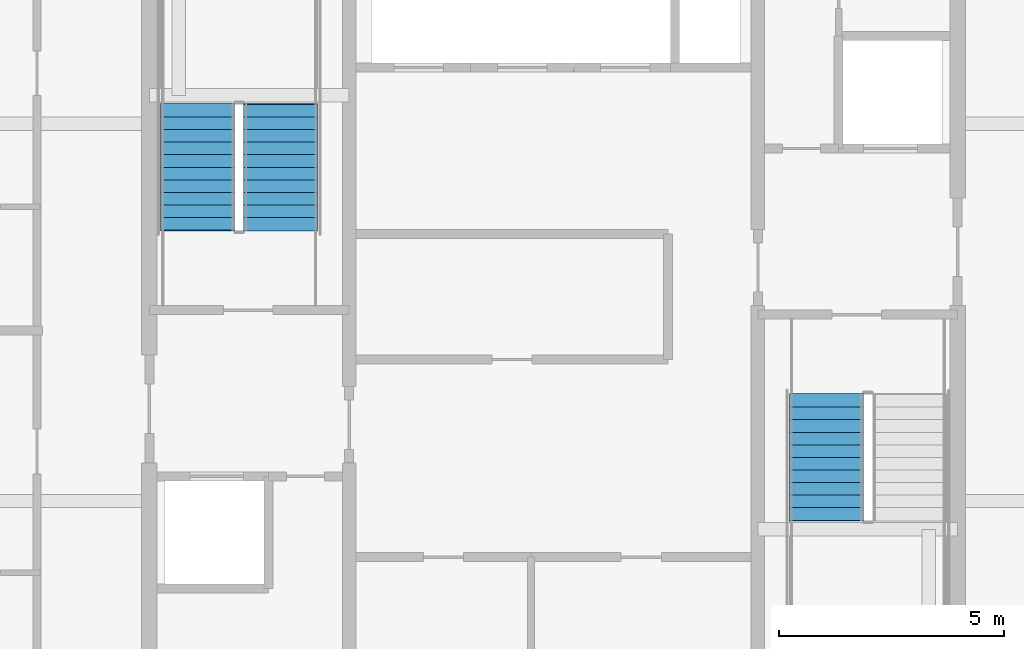
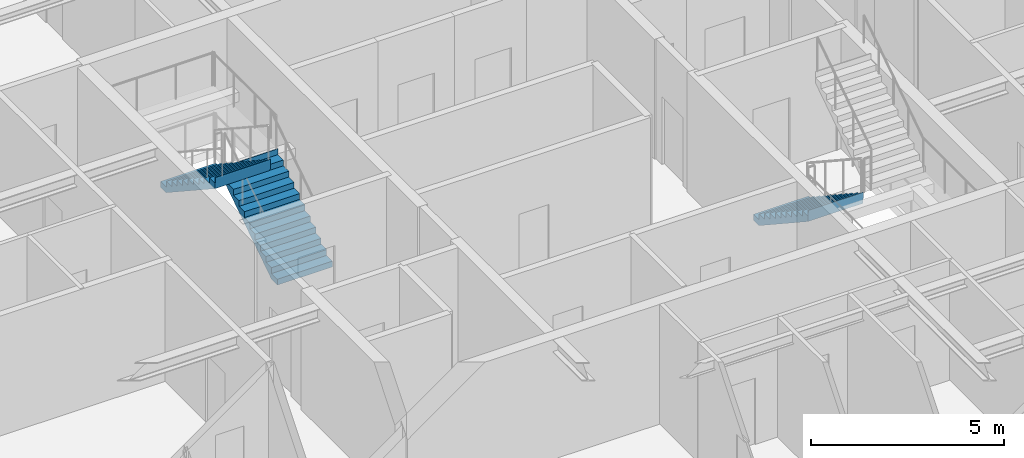
# One storey, part 33 of 39: 3 stair flights, 2 elements without a shape of their own.
"""IFC4 building model written with IfcOpenShell, lengths in metres."""

import ifcopenshell
import ifcopenshell.guid

model = None  # the IFC model being written
_history = None  # IfcOwnerHistory: only IFC2X3 demands one
_inside = {}  # id of a spatial element -> (the spatial element, [elements in it])
_under = {}  # id of a project, library or spatial element -> (it, [spatial elements below it])
_declared = {}  # id of a project -> (the project, [libraries it declares])
_typed = {}  # id of a type object -> (the type object, [elements of that type])
_made_of = {}  # id of a material, layer set ... -> (it, [elements and type objects made of it])


def new_model(schema):
    """Start an empty IFC model of exactly this schema.

    Asked for "IFC4X3", IfcOpenShell would pick the latest addendum, in which some entities
    have other attributes; the version numbers below select the first issue.
    IFC2X3 requires an IfcOwnerHistory on every rooted entity: one is made here for all.
    """
    global model, _history
    if schema == "IFC4X3":
        model = ifcopenshell.file(schema_version=(4, 3, 0, 0))
    else:
        model = ifcopenshell.file(schema=schema)
    _inside.clear()
    _under.clear()
    _declared.clear()
    _typed.clear()
    _made_of.clear()
    _history = None
    if model.schema == "IFC2X3":
        org = make("IfcOrganization", Name="unknown")
        user = make(
            "IfcPersonAndOrganization",
            ThePerson=make("IfcPerson", FamilyName="unknown"),
            TheOrganization=org,
        )
        app = make(
            "IfcApplication",
            ApplicationDeveloper=org,
            Version="unknown",
            ApplicationFullName="unknown",
            ApplicationIdentifier="unknown",
        )
        _history = make(
            "IfcOwnerHistory",
            OwningUser=user,
            OwningApplication=app,
            ChangeAction="ADDED",
            CreationDate=0,
        )
    return model


def make(cls, **values):
    """One entity of the class cls with the attributes given. An attribute that is None is left unset."""
    return model.create_entity(
        cls, **{name: value for name, value in values.items() if value is not None}
    )


def rooted(cls, **values):
    """An entity with a GlobalId (a new one), such as an element, a storey or a relation."""
    return make(cls, GlobalId=ifcopenshell.guid.new(), OwnerHistory=_history, **values)


def si_unit(unit_type, name, prefix=None):
    """IfcSIUnit, for example si_unit("LENGTHUNIT", "METRE", prefix="MILLI")."""
    return make("IfcSIUnit", UnitType=unit_type, Prefix=prefix, Name=name)


def assignment(units):
    """IfcUnitAssignment: the units of a project."""
    return None if units is None else make("IfcUnitAssignment", Units=units)


def point(xyz):
    """IfcCartesianPoint."""
    return None if xyz is None else make("IfcCartesianPoint", Coordinates=xyz)


def direction(xyz):
    """IfcDirection."""
    return None if xyz is None else make("IfcDirection", DirectionRatios=xyz)


def frame(location, z_axis=None, x_axis=None):
    """IfcAxis2Placement3D, a coordinate frame: its origin and axes. An axis left out is left unset."""
    return make(
        "IfcAxis2Placement3D",
        Location=point(location),
        Axis=direction(z_axis),
        RefDirection=direction(x_axis),
    )


def origin():
    """The frame at (0, 0, 0) with its axes left unset."""
    return frame((0.0, 0.0, 0.0))


def place(relative_to, where):
    """IfcLocalPlacement: puts the frame where relative to a parent placement (None: the world)."""
    return make(
        "IfcLocalPlacement", PlacementRelTo=relative_to, RelativePlacement=where
    )


def context(
    kind, dimensions, precision=None, world=None, true_north=None, identifier=None
):
    """IfcGeometricRepresentationContext, for example the 3D "Model" context."""
    return make(
        "IfcGeometricRepresentationContext",
        ContextIdentifier=identifier,
        ContextType=kind,
        CoordinateSpaceDimension=dimensions,
        Precision=precision,
        WorldCoordinateSystem=world,
        TrueNorth=true_north,
    )


def subcontext(parent, identifier, kind, view, scale=None):
    """IfcGeometricRepresentationSubContext, for example "Body" below "Model"."""
    return make(
        "IfcGeometricRepresentationSubContext",
        ContextIdentifier=identifier,
        ContextType=kind,
        ParentContext=parent,
        TargetScale=scale,
        TargetView=view,
    )


def project(units=None, contexts=None):
    """IfcProject with its units and contexts."""
    return rooted(
        "IfcProject",
        Name="project",
        RepresentationContexts=contexts,
        UnitsInContext=assignment(units),
    )


def spatial(cls, under=None, at=None, **own):
    """A site, building, storey or space (cls), placed at a placement, below another one or the project."""
    s = rooted(cls, ObjectPlacement=at, **own)
    if under is not None:
        _under.setdefault(under.id(), (under, []))[1].append(s)
    return s


def point_list(points):
    """IfcCartesianPointList2D or 3D."""
    cls = (
        "IfcCartesianPointList2D" if len(points[0]) == 2 else "IfcCartesianPointList3D"
    )
    return make(cls, CoordList=points)


def polygons(points, faces, closed=None, point_numbers=None):
    """IfcPolygonalFaceSet: a face is its outer loop, then its inner loops; points numbered from 1."""
    made = []
    for loops in faces:
        if len(loops) == 1:
            made.append(make("IfcIndexedPolygonalFace", CoordIndex=loops[0]))
        else:
            made.append(
                make(
                    "IfcIndexedPolygonalFaceWithVoids",
                    CoordIndex=loops[0],
                    InnerCoordIndices=loops[1:],
                )
            )
    return make(
        "IfcPolygonalFaceSet",
        Coordinates=point_list(points),
        Closed=closed,
        Faces=made,
        PnIndex=point_numbers,
    )


def shape(context_of_items, identifier, shape_type, items):
    """IfcShapeRepresentation: the items that make up one representation, for example the "Body"."""
    return make(
        "IfcShapeRepresentation",
        ContextOfItems=context_of_items,
        RepresentationIdentifier=identifier,
        RepresentationType=shape_type,
        Items=items,
    )


def material(Name=None, Category=None):
    """IfcMaterial."""
    return make("IfcMaterial", Name=Name, Category=Category)


def made_of(thing, what):
    """Note that an element or type object is made of a material, layer set ...; save() writes the relation."""
    if what is not None:
        _made_of.setdefault(what.id(), (what, []))[1].append(thing)
    return thing


def type_object(cls, material=None, **own):
    """A type object (cls), such as IfcWallType, which elements share."""
    return made_of(rooted(cls, **own), material)


def element(
    cls,
    number,
    at=None,
    inside=None,
    cuts=None,
    type_object=None,
    material=None,
    context=None,
    identifier="Body",
    shape_type=None,
    held_by="IfcProductDefinitionShape",
    body=None,
    shapes=None,
    **own,
):
    """One element of the class cls, such as IfcWall. Its Tag is "e" and its number.

    at: its placement. inside: the storey or other place that contains it. cuts: it is an
    opening in that element (IfcRelVoidsElement). A single representation is given by context,
    identifier, shape_type and body (its items); several are given by shapes. held_by: the class
    of the entity that holds the representations. save() writes the other relations.
    """
    e = rooted(cls, Tag="e%d" % number, ObjectPlacement=at, **own)
    if body is not None:
        shapes = [shape(context, identifier, shape_type, body)]
    if shapes is not None:
        e.Representation = make(held_by, Representations=shapes)
    if inside is not None:
        _inside.setdefault(inside.id(), (inside, []))[1].append(e)
    if cuts is not None:
        rooted(
            "IfcRelVoidsElement", RelatingBuildingElement=cuts, RelatedOpeningElement=e
        )
    if type_object is not None:
        _typed.setdefault(type_object.id(), (type_object, []))[1].append(e)
    return made_of(e, material)


def aggregate(whole, parts):
    """IfcRelAggregates: a whole, such as a stair, and the parts it consists of."""
    return rooted("IfcRelAggregates", RelatingObject=whole, RelatedObjects=parts)


def save(model, path):
    """Write the relations noted so far, then the file.

    IfcRelAggregates (storeys below a building ...), IfcRelContainedInSpatialStructure (elements
    in a storey), IfcRelDefinesByType, IfcRelAssociatesMaterial and IfcRelDeclares: one each for
    every whole, place, type object, material and project.
    """
    for whole, parts in _under.values():
        aggregate(whole, parts)
    for where, things in _inside.values():
        rooted(
            "IfcRelContainedInSpatialStructure",
            RelatedElements=things,
            RelatingStructure=where,
        )
    for kind, things in _typed.values():
        rooted("IfcRelDefinesByType", RelatedObjects=things, RelatingType=kind)
    for what, things in _made_of.values():
        rooted("IfcRelAssociatesMaterial", RelatedObjects=things, RelatingMaterial=what)
    for by, libraries in _declared.values():
        rooted("IfcRelDeclares", RelatingContext=by, RelatedDefinitions=libraries)
    model.write(path)


model = new_model("IFC4")

# Units and contexts
model_context = context("Model", 3, precision=1e-05, world=origin(), true_north=direction((0.0, 1.0)))
body_context = subcontext(model_context, "Body", "Model", "MODEL_VIEW")
ifc_project = project(units=[si_unit("LENGTHUNIT", "METRE"), si_unit("AREAUNIT", "SQUARE_METRE"), si_unit("VOLUMEUNIT", "CUBIC_METRE"), si_unit("PLANEANGLEUNIT", "RADIAN"), si_unit("MASSUNIT", "GRAM", prefix="KILO")], contexts=[model_context])

# Site, building, storey
site_placement = place(None, origin())
site = spatial("IfcSite", under=ifc_project, at=site_placement, CompositionType="ELEMENT")
building_placement = place(site_placement, origin())
building = spatial("IfcBuilding", under=site, at=building_placement, Name="Serunith Strait Residences", CompositionType="ELEMENT")
storey_placement = place(building_placement, frame((0.0, 0.0, 329.89990234375)))
storey = spatial("IfcBuildingStorey", under=building, at=storey_placement, Name="L82", CompositionType="ELEMENT", Elevation=329.89990234375)

# Stair, stair flights
ifc_material = material(Name="Concrete C50/60", Category="concrete")
stair_type_1 = type_object("IfcStairType", Name="STR-CORE-1", PredefinedType="HALF_TURN_STAIR", material=ifc_material)
stair_1_placement = place(storey_placement, origin())
stair_1 = element("IfcStair", 1, at=stair_1_placement, inside=storey, type_object=stair_type_1, Name="L82 Protected Escape Stair ST-1", PredefinedType="HALF_TURN_STAIR")
stair_flight_type_1 = type_object("IfcStairFlightType", Name="FLT-CORE-1", PredefinedType="STRAIGHT", material=ifc_material)
stair_flight_1_placement = place(storey_placement, frame((26.324951171875, 27.030029296875, 0.0), z_axis=(0.0, 0.0, 1.0), x_axis=(0.0, 1.0, 0.0)))
stair_flight_1 = element("IfcStairFlight", 2, at=stair_flight_1_placement, type_object=stair_flight_type_1, Name="ST-1 flight 1", NumberOfRisers=11, NumberOfTreads=10, PredefinedType="STRAIGHT", RiserHeight=0.184090909, TreadLength=0.28, context=body_context, shape_type="Tessellation", body=[
    polygons([(-0.02001953125, -0.824951171875, 0.0), (-0.02001953125, -0.824951171875, 0.18408203125), (0.280029296875, -0.824951171875, 0.18408203125), (0.280029296875, -0.824951171875, 0.3681640625), (0.56005859375, -0.824951171875, 0.3681640625), (0.56005859375, -0.824951171875, 0.55224609375), (0.840087890625, -0.824951171875, 0.55224609375), (0.840087890625, -0.824951171875, 0.736328125), (1.1201171875, -0.824951171875, 0.736328125), (1.1201171875, -0.824951171875, 0.92041015625), (1.39990234375, -0.824951171875, 0.92041015625), (1.39990234375, -0.824951171875, 1.1044921875), (1.679931640625, -0.824951171875, 1.1044921875), (1.679931640625, -0.824951171875, 1.28857421875), (1.9599609375, -0.824951171875, 1.28857421875), (1.9599609375, -0.824951171875, 1.47265625), (2.239990234375, -0.824951171875, 1.47265625), (2.239990234375, -0.824951171875, 1.65673828125), (2.52001953125, -0.824951171875, 1.65673828125), (2.52001953125, -0.824951171875, 1.8408203125), (2.800048828125, -0.824951171875, 1.8408203125), (2.800048828125, -0.824951171875, 2.02490234375), (2.820068359375, -0.824951171875, 2.02490234375), (2.820068359375, -0.824951171875, 1.965087890625), (2.800048828125, -0.824951171875, 1.66162109375), (0.27294921875, -0.824951171875, 0.0), (-0.02001953125, -0.41259765625, 0.0), (-0.02001953125, -0.41259765625, 0.18408203125), (0.280029296875, -0.41259765625, 0.18408203125), (0.280029296875, -0.41259765625, 0.3681640625), (0.56005859375, -0.41259765625, 0.3681640625), (0.56005859375, -0.41259765625, 0.55224609375), (0.840087890625, -0.41259765625, 0.55224609375), (0.840087890625, -0.41259765625, 0.736328125), (1.1201171875, -0.41259765625, 0.736328125), (1.1201171875, -0.41259765625, 0.92041015625), (1.39990234375, -0.41259765625, 0.92041015625), (1.39990234375, -0.41259765625, 1.1044921875), (1.679931640625, -0.41259765625, 1.1044921875), (1.679931640625, -0.41259765625, 1.28857421875), (1.9599609375, -0.41259765625, 1.28857421875), (1.9599609375, -0.41259765625, 1.47265625), (2.239990234375, -0.41259765625, 1.47265625), (2.239990234375, -0.41259765625, 1.65673828125), (2.52001953125, -0.41259765625, 1.65673828125), (2.52001953125, -0.41259765625, 1.8408203125), (2.800048828125, -0.41259765625, 1.8408203125), (2.800048828125, -0.41259765625, 2.02490234375), (2.820068359375, -0.41259765625, 2.02490234375), (2.820068359375, -0.41259765625, 1.965087890625), (2.800048828125, -0.41259765625, 1.66162109375), (0.27294921875, -0.41259765625, 0.0), (-0.02001953125, 0.0, 0.0), (-0.02001953125, 0.0, 0.18408203125), (0.280029296875, 0.0, 0.18408203125), (0.280029296875, 0.0, 0.3681640625), (0.56005859375, 0.0, 0.3681640625), (0.56005859375, 0.0, 0.55224609375), (0.840087890625, 0.0, 0.55224609375), (0.840087890625, 0.0, 0.736328125), (1.1201171875, 0.0, 0.736328125), (1.1201171875, 0.0, 0.92041015625), (1.39990234375, 0.0, 0.92041015625), (1.39990234375, 0.0, 1.1044921875), (1.679931640625, 0.0, 1.1044921875), (1.679931640625, 0.0, 1.28857421875), (1.9599609375, 0.0, 1.28857421875), (1.9599609375, 0.0, 1.47265625), (2.239990234375, 0.0, 1.47265625), (2.239990234375, 0.0, 1.65673828125), (2.52001953125, 0.0, 1.65673828125), (2.52001953125, 0.0, 1.8408203125), (2.800048828125, 0.0, 1.8408203125), (2.800048828125, 0.0, 2.02490234375), (2.820068359375, 0.0, 2.02490234375), (2.820068359375, 0.0, 1.965087890625), (2.800048828125, 0.0, 1.66162109375), (0.27294921875, 0.0, 0.0), (-0.02001953125, 0.41259765625, 0.0), (-0.02001953125, 0.41259765625, 0.18408203125), (0.280029296875, 0.41259765625, 0.18408203125), (0.280029296875, 0.41259765625, 0.3681640625), (0.56005859375, 0.41259765625, 0.3681640625), (0.56005859375, 0.41259765625, 0.55224609375), (0.840087890625, 0.41259765625, 0.55224609375), (0.840087890625, 0.41259765625, 0.736328125), (1.1201171875, 0.41259765625, 0.736328125), (1.1201171875, 0.41259765625, 0.92041015625), (1.39990234375, 0.41259765625, 0.92041015625), (1.39990234375, 0.41259765625, 1.1044921875), (1.679931640625, 0.41259765625, 1.1044921875), (1.679931640625, 0.41259765625, 1.28857421875), (1.9599609375, 0.41259765625, 1.28857421875), (1.9599609375, 0.41259765625, 1.47265625), (2.239990234375, 0.41259765625, 1.47265625), (2.239990234375, 0.41259765625, 1.65673828125), (2.52001953125, 0.41259765625, 1.65673828125), (2.52001953125, 0.41259765625, 1.8408203125), (2.800048828125, 0.41259765625, 1.8408203125), (2.800048828125, 0.41259765625, 2.02490234375), (2.820068359375, 0.41259765625, 2.02490234375), (2.820068359375, 0.41259765625, 1.965087890625), (2.800048828125, 0.41259765625, 1.66162109375), (0.27294921875, 0.41259765625, 0.0), (-0.02001953125, 0.824951171875, 0.0), (-0.02001953125, 0.824951171875, 0.18408203125), (0.280029296875, 0.824951171875, 0.18408203125), (0.280029296875, 0.824951171875, 0.3681640625), (0.56005859375, 0.824951171875, 0.3681640625), (0.56005859375, 0.824951171875, 0.55224609375), (0.840087890625, 0.824951171875, 0.55224609375), (0.840087890625, 0.824951171875, 0.736328125), (1.1201171875, 0.824951171875, 0.736328125), (1.1201171875, 0.824951171875, 0.92041015625), (1.39990234375, 0.824951171875, 0.92041015625), (1.39990234375, 0.824951171875, 1.1044921875), (1.679931640625, 0.824951171875, 1.1044921875), (1.679931640625, 0.824951171875, 1.28857421875), (1.9599609375, 0.824951171875, 1.28857421875), (1.9599609375, 0.824951171875, 1.47265625), (2.239990234375, 0.824951171875, 1.47265625), (2.239990234375, 0.824951171875, 1.65673828125), (2.52001953125, 0.824951171875, 1.65673828125), (2.52001953125, 0.824951171875, 1.8408203125), (2.800048828125, 0.824951171875, 1.8408203125), (2.800048828125, 0.824951171875, 2.02490234375), (2.820068359375, 0.824951171875, 2.02490234375), (2.820068359375, 0.824951171875, 1.965087890625), (2.800048828125, 0.824951171875, 1.66162109375), (0.27294921875, 0.824951171875, 0.0)], [[[1, 2, 28, 27]], [[2, 3, 29, 28]], [[3, 4, 30, 29]], [[4, 5, 31, 30]], [[5, 6, 32, 31]], [[6, 7, 33, 32]], [[7, 8, 34, 33]], [[8, 9, 35, 34]], [[9, 10, 36, 35]], [[10, 11, 37, 36]], [[11, 12, 38, 37]], [[12, 13, 39, 38]], [[13, 14, 40, 39]], [[14, 15, 41, 40]], [[15, 16, 42, 41]], [[16, 17, 43, 42]], [[17, 18, 44, 43]], [[18, 19, 45, 44]], [[19, 20, 46, 45]], [[20, 21, 47, 46]], [[21, 22, 48, 47]], [[22, 23, 49, 48]], [[23, 24, 50, 49]], [[24, 25, 51, 50]], [[25, 26, 52, 51]], [[26, 1, 27, 52]], [[27, 28, 54, 53]], [[28, 29, 55, 54]], [[29, 30, 56, 55]], [[30, 31, 57, 56]], [[31, 32, 58, 57]], [[32, 33, 59, 58]], [[33, 34, 60, 59]], [[34, 35, 61, 60]], [[35, 36, 62, 61]], [[36, 37, 63, 62]], [[37, 38, 64, 63]], [[38, 39, 65, 64]], [[39, 40, 66, 65]], [[40, 41, 67, 66]], [[41, 42, 68, 67]], [[42, 43, 69, 68]], [[43, 44, 70, 69]], [[44, 45, 71, 70]], [[45, 46, 72, 71]], [[46, 47, 73, 72]], [[47, 48, 74, 73]], [[48, 49, 75, 74]], [[49, 50, 76, 75]], [[50, 51, 77, 76]], [[51, 52, 78, 77]], [[52, 27, 53, 78]], [[53, 54, 80, 79]], [[54, 55, 81, 80]], [[55, 56, 82, 81]], [[56, 57, 83, 82]], [[57, 58, 84, 83]], [[58, 59, 85, 84]], [[59, 60, 86, 85]], [[60, 61, 87, 86]], [[61, 62, 88, 87]], [[62, 63, 89, 88]], [[63, 64, 90, 89]], [[64, 65, 91, 90]], [[65, 66, 92, 91]], [[66, 67, 93, 92]], [[67, 68, 94, 93]], [[68, 69, 95, 94]], [[69, 70, 96, 95]], [[70, 71, 97, 96]], [[71, 72, 98, 97]], [[72, 73, 99, 98]], [[73, 74, 100, 99]], [[74, 75, 101, 100]], [[75, 76, 102, 101]], [[76, 77, 103, 102]], [[77, 78, 104, 103]], [[78, 53, 79, 104]], [[79, 80, 106, 105]], [[80, 81, 107, 106]], [[81, 82, 108, 107]], [[82, 83, 109, 108]], [[83, 84, 110, 109]], [[84, 85, 111, 110]], [[85, 86, 112, 111]], [[86, 87, 113, 112]], [[87, 88, 114, 113]], [[88, 89, 115, 114]], [[89, 90, 116, 115]], [[90, 91, 117, 116]], [[91, 92, 118, 117]], [[92, 93, 119, 118]], [[93, 94, 120, 119]], [[94, 95, 121, 120]], [[95, 96, 122, 121]], [[96, 97, 123, 122]], [[97, 98, 124, 123]], [[98, 99, 125, 124]], [[99, 100, 126, 125]], [[100, 101, 127, 126]], [[101, 102, 128, 127]], [[102, 103, 129, 128]], [[103, 104, 130, 129]], [[104, 79, 105, 130]], [[26, 25, 24, 23, 22, 21, 20, 19, 18, 17, 16, 15, 14, 13, 12, 11, 10, 9, 8, 7, 6, 5, 4, 3, 2, 1]], [[105, 106, 107, 108, 109, 110, 111, 112, 113, 114, 115, 116, 117, 118, 119, 120, 121, 122, 123, 124, 125, 126, 127, 128, 129, 130]]], closed=True),
])
stair_flight_2_placement = place(storey_placement, frame((24.47509765625, 29.830078125, 2.025146484375), z_axis=(0.0, 0.0, 1.0), x_axis=(0.0, -1.0, 0.0)))
stair_flight_2 = element("IfcStairFlight", 3, at=stair_flight_2_placement, type_object=stair_flight_type_1, Name="ST-1 flight 2", NumberOfRisers=11, NumberOfTreads=10, PredefinedType="STRAIGHT", RiserHeight=0.184090909, TreadLength=0.28, context=body_context, shape_type="Tessellation", body=[
    polygons([(-0.02001953125, -0.824951171875, 0.0), (-0.02001953125, -0.824951171875, 0.18408203125), (0.280029296875, -0.824951171875, 0.18408203125), (0.280029296875, -0.824951171875, 0.3681640625), (0.56005859375, -0.824951171875, 0.3681640625), (0.56005859375, -0.824951171875, 0.55224609375), (0.840087890625, -0.824951171875, 0.55224609375), (0.840087890625, -0.824951171875, 0.736328125), (1.1201171875, -0.824951171875, 0.736328125), (1.1201171875, -0.824951171875, 0.92041015625), (1.39990234375, -0.824951171875, 0.92041015625), (1.39990234375, -0.824951171875, 1.1044921875), (1.679931640625, -0.824951171875, 1.1044921875), (1.679931640625, -0.824951171875, 1.28857421875), (1.9599609375, -0.824951171875, 1.28857421875), (1.9599609375, -0.824951171875, 1.47265625), (2.239990234375, -0.824951171875, 1.47265625), (2.239990234375, -0.824951171875, 1.65673828125), (2.52001953125, -0.824951171875, 1.65673828125), (2.52001953125, -0.824951171875, 1.8408203125), (2.800048828125, -0.824951171875, 1.8408203125), (2.800048828125, -0.824951171875, 2.02490234375), (2.820068359375, -0.824951171875, 2.02490234375), (2.820068359375, -0.824951171875, 1.965087890625), (2.800048828125, -0.824951171875, 1.66162109375), (0.27294921875, -0.824951171875, 0.0), (-0.02001953125, -0.41259765625, 0.0), (-0.02001953125, -0.41259765625, 0.18408203125), (0.280029296875, -0.41259765625, 0.18408203125), (0.280029296875, -0.41259765625, 0.3681640625), (0.56005859375, -0.41259765625, 0.3681640625), (0.56005859375, -0.41259765625, 0.55224609375), (0.840087890625, -0.41259765625, 0.55224609375), (0.840087890625, -0.41259765625, 0.736328125), (1.1201171875, -0.41259765625, 0.736328125), (1.1201171875, -0.41259765625, 0.92041015625), (1.39990234375, -0.41259765625, 0.92041015625), (1.39990234375, -0.41259765625, 1.1044921875), (1.679931640625, -0.41259765625, 1.1044921875), (1.679931640625, -0.41259765625, 1.28857421875), (1.9599609375, -0.41259765625, 1.28857421875), (1.9599609375, -0.41259765625, 1.47265625), (2.239990234375, -0.41259765625, 1.47265625), (2.239990234375, -0.41259765625, 1.65673828125), (2.52001953125, -0.41259765625, 1.65673828125), (2.52001953125, -0.41259765625, 1.8408203125), (2.800048828125, -0.41259765625, 1.8408203125), (2.800048828125, -0.41259765625, 2.02490234375), (2.820068359375, -0.41259765625, 2.02490234375), (2.820068359375, -0.41259765625, 1.965087890625), (2.800048828125, -0.41259765625, 1.66162109375), (0.27294921875, -0.41259765625, 0.0), (-0.02001953125, 0.0, 0.0), (-0.02001953125, 0.0, 0.18408203125), (0.280029296875, 0.0, 0.18408203125), (0.280029296875, 0.0, 0.3681640625), (0.56005859375, 0.0, 0.3681640625), (0.56005859375, 0.0, 0.55224609375), (0.840087890625, 0.0, 0.55224609375), (0.840087890625, 0.0, 0.736328125), (1.1201171875, 0.0, 0.736328125), (1.1201171875, 0.0, 0.92041015625), (1.39990234375, 0.0, 0.92041015625), (1.39990234375, 0.0, 1.1044921875), (1.679931640625, 0.0, 1.1044921875), (1.679931640625, 0.0, 1.28857421875), (1.9599609375, 0.0, 1.28857421875), (1.9599609375, 0.0, 1.47265625), (2.239990234375, 0.0, 1.47265625), (2.239990234375, 0.0, 1.65673828125), (2.52001953125, 0.0, 1.65673828125), (2.52001953125, 0.0, 1.8408203125), (2.800048828125, 0.0, 1.8408203125), (2.800048828125, 0.0, 2.02490234375), (2.820068359375, 0.0, 2.02490234375), (2.820068359375, 0.0, 1.965087890625), (2.800048828125, 0.0, 1.66162109375), (0.27294921875, 0.0, 0.0), (-0.02001953125, 0.41259765625, 0.0), (-0.02001953125, 0.41259765625, 0.18408203125), (0.280029296875, 0.41259765625, 0.18408203125), (0.280029296875, 0.41259765625, 0.3681640625), (0.56005859375, 0.41259765625, 0.3681640625), (0.56005859375, 0.41259765625, 0.55224609375), (0.840087890625, 0.41259765625, 0.55224609375), (0.840087890625, 0.41259765625, 0.736328125), (1.1201171875, 0.41259765625, 0.736328125), (1.1201171875, 0.41259765625, 0.92041015625), (1.39990234375, 0.41259765625, 0.92041015625), (1.39990234375, 0.41259765625, 1.1044921875), (1.679931640625, 0.41259765625, 1.1044921875), (1.679931640625, 0.41259765625, 1.28857421875), (1.9599609375, 0.41259765625, 1.28857421875), (1.9599609375, 0.41259765625, 1.47265625), (2.239990234375, 0.41259765625, 1.47265625), (2.239990234375, 0.41259765625, 1.65673828125), (2.52001953125, 0.41259765625, 1.65673828125), (2.52001953125, 0.41259765625, 1.8408203125), (2.800048828125, 0.41259765625, 1.8408203125), (2.800048828125, 0.41259765625, 2.02490234375), (2.820068359375, 0.41259765625, 2.02490234375), (2.820068359375, 0.41259765625, 1.965087890625), (2.800048828125, 0.41259765625, 1.66162109375), (0.27294921875, 0.41259765625, 0.0), (-0.02001953125, 0.824951171875, 0.0), (-0.02001953125, 0.824951171875, 0.18408203125), (0.280029296875, 0.824951171875, 0.18408203125), (0.280029296875, 0.824951171875, 0.3681640625), (0.56005859375, 0.824951171875, 0.3681640625), (0.56005859375, 0.824951171875, 0.55224609375), (0.840087890625, 0.824951171875, 0.55224609375), (0.840087890625, 0.824951171875, 0.736328125), (1.1201171875, 0.824951171875, 0.736328125), (1.1201171875, 0.824951171875, 0.92041015625), (1.39990234375, 0.824951171875, 0.92041015625), (1.39990234375, 0.824951171875, 1.1044921875), (1.679931640625, 0.824951171875, 1.1044921875), (1.679931640625, 0.824951171875, 1.28857421875), (1.9599609375, 0.824951171875, 1.28857421875), (1.9599609375, 0.824951171875, 1.47265625), (2.239990234375, 0.824951171875, 1.47265625), (2.239990234375, 0.824951171875, 1.65673828125), (2.52001953125, 0.824951171875, 1.65673828125), (2.52001953125, 0.824951171875, 1.8408203125), (2.800048828125, 0.824951171875, 1.8408203125), (2.800048828125, 0.824951171875, 2.02490234375), (2.820068359375, 0.824951171875, 2.02490234375), (2.820068359375, 0.824951171875, 1.965087890625), (2.800048828125, 0.824951171875, 1.66162109375), (0.27294921875, 0.824951171875, 0.0)], [[[1, 2, 28, 27]], [[2, 3, 29, 28]], [[3, 4, 30, 29]], [[4, 5, 31, 30]], [[5, 6, 32, 31]], [[6, 7, 33, 32]], [[7, 8, 34, 33]], [[8, 9, 35, 34]], [[9, 10, 36, 35]], [[10, 11, 37, 36]], [[11, 12, 38, 37]], [[12, 13, 39, 38]], [[13, 14, 40, 39]], [[14, 15, 41, 40]], [[15, 16, 42, 41]], [[16, 17, 43, 42]], [[17, 18, 44, 43]], [[18, 19, 45, 44]], [[19, 20, 46, 45]], [[20, 21, 47, 46]], [[21, 22, 48, 47]], [[22, 23, 49, 48]], [[23, 24, 50, 49]], [[24, 25, 51, 50]], [[25, 26, 52, 51]], [[26, 1, 27, 52]], [[27, 28, 54, 53]], [[28, 29, 55, 54]], [[29, 30, 56, 55]], [[30, 31, 57, 56]], [[31, 32, 58, 57]], [[32, 33, 59, 58]], [[33, 34, 60, 59]], [[34, 35, 61, 60]], [[35, 36, 62, 61]], [[36, 37, 63, 62]], [[37, 38, 64, 63]], [[38, 39, 65, 64]], [[39, 40, 66, 65]], [[40, 41, 67, 66]], [[41, 42, 68, 67]], [[42, 43, 69, 68]], [[43, 44, 70, 69]], [[44, 45, 71, 70]], [[45, 46, 72, 71]], [[46, 47, 73, 72]], [[47, 48, 74, 73]], [[48, 49, 75, 74]], [[49, 50, 76, 75]], [[50, 51, 77, 76]], [[51, 52, 78, 77]], [[52, 27, 53, 78]], [[53, 54, 80, 79]], [[54, 55, 81, 80]], [[55, 56, 82, 81]], [[56, 57, 83, 82]], [[57, 58, 84, 83]], [[58, 59, 85, 84]], [[59, 60, 86, 85]], [[60, 61, 87, 86]], [[61, 62, 88, 87]], [[62, 63, 89, 88]], [[63, 64, 90, 89]], [[64, 65, 91, 90]], [[65, 66, 92, 91]], [[66, 67, 93, 92]], [[67, 68, 94, 93]], [[68, 69, 95, 94]], [[69, 70, 96, 95]], [[70, 71, 97, 96]], [[71, 72, 98, 97]], [[72, 73, 99, 98]], [[73, 74, 100, 99]], [[74, 75, 101, 100]], [[75, 76, 102, 101]], [[76, 77, 103, 102]], [[77, 78, 104, 103]], [[78, 53, 79, 104]], [[79, 80, 106, 105]], [[80, 81, 107, 106]], [[81, 82, 108, 107]], [[82, 83, 109, 108]], [[83, 84, 110, 109]], [[84, 85, 111, 110]], [[85, 86, 112, 111]], [[86, 87, 113, 112]], [[87, 88, 114, 113]], [[88, 89, 115, 114]], [[89, 90, 116, 115]], [[90, 91, 117, 116]], [[91, 92, 118, 117]], [[92, 93, 119, 118]], [[93, 94, 120, 119]], [[94, 95, 121, 120]], [[95, 96, 122, 121]], [[96, 97, 123, 122]], [[97, 98, 124, 123]], [[98, 99, 125, 124]], [[99, 100, 126, 125]], [[100, 101, 127, 126]], [[101, 102, 128, 127]], [[102, 103, 129, 128]], [[103, 104, 130, 129]], [[104, 79, 105, 130]], [[26, 25, 24, 23, 22, 21, 20, 19, 18, 17, 16, 15, 14, 13, 12, 11, 10, 9, 8, 7, 6, 5, 4, 3, 2, 1]], [[105, 106, 107, 108, 109, 110, 111, 112, 113, 114, 115, 116, 117, 118, 119, 120, 121, 122, 123, 124, 125, 126, 127, 128, 129, 130]]], closed=True),
])
aggregate(stair_1, [stair_flight_1, stair_flight_2])

# Stair, stair flight
stair_type_2 = type_object("IfcStairType", Name="STR-CORE-2", PredefinedType="HALF_TURN_STAIR", material=ifc_material)
stair_2_placement = place(storey_placement, origin())
stair_2 = element("IfcStair", 4, at=stair_2_placement, inside=storey, type_object=stair_type_2, Name="L82 Protected Escape Stair ST-2", PredefinedType="HALF_TURN_STAIR")
stair_flight_type_2 = type_object("IfcStairFlightType", Name="FLT-CORE-2", PredefinedType="STRAIGHT", material=ifc_material)
stair_flight_3_placement = place(storey_placement, frame((38.47509765625, 23.3701171875, 0.0), z_axis=(0.0, 0.0, 1.0), x_axis=(0.0, -1.0, 0.0)))
stair_flight_3 = element("IfcStairFlight", 5, at=stair_flight_3_placement, type_object=stair_flight_type_2, Name="ST-2 flight 1", NumberOfRisers=11, NumberOfTreads=10, PredefinedType="STRAIGHT", RiserHeight=0.184090909, TreadLength=0.28, context=body_context, shape_type="Tessellation", body=[
    polygons([(-0.02001953125, -0.824951171875, 0.0), (-0.02001953125, -0.824951171875, 0.18408203125), (0.280029296875, -0.824951171875, 0.18408203125), (0.280029296875, -0.824951171875, 0.3681640625), (0.56005859375, -0.824951171875, 0.3681640625), (0.56005859375, -0.824951171875, 0.55224609375), (0.840087890625, -0.824951171875, 0.55224609375), (0.840087890625, -0.824951171875, 0.736328125), (1.1201171875, -0.824951171875, 0.736328125), (1.1201171875, -0.824951171875, 0.92041015625), (1.39990234375, -0.824951171875, 0.92041015625), (1.39990234375, -0.824951171875, 1.1044921875), (1.679931640625, -0.824951171875, 1.1044921875), (1.679931640625, -0.824951171875, 1.28857421875), (1.9599609375, -0.824951171875, 1.28857421875), (1.9599609375, -0.824951171875, 1.47265625), (2.239990234375, -0.824951171875, 1.47265625), (2.239990234375, -0.824951171875, 1.65673828125), (2.52001953125, -0.824951171875, 1.65673828125), (2.52001953125, -0.824951171875, 1.8408203125), (2.800048828125, -0.824951171875, 1.8408203125), (2.800048828125, -0.824951171875, 2.02490234375), (2.820068359375, -0.824951171875, 2.02490234375), (2.820068359375, -0.824951171875, 1.965087890625), (2.800048828125, -0.824951171875, 1.66162109375), (0.27294921875, -0.824951171875, 0.0), (-0.02001953125, -0.41259765625, 0.0), (-0.02001953125, -0.41259765625, 0.18408203125), (0.280029296875, -0.41259765625, 0.18408203125), (0.280029296875, -0.41259765625, 0.3681640625), (0.56005859375, -0.41259765625, 0.3681640625), (0.56005859375, -0.41259765625, 0.55224609375), (0.840087890625, -0.41259765625, 0.55224609375), (0.840087890625, -0.41259765625, 0.736328125), (1.1201171875, -0.41259765625, 0.736328125), (1.1201171875, -0.41259765625, 0.92041015625), (1.39990234375, -0.41259765625, 0.92041015625), (1.39990234375, -0.41259765625, 1.1044921875), (1.679931640625, -0.41259765625, 1.1044921875), (1.679931640625, -0.41259765625, 1.28857421875), (1.9599609375, -0.41259765625, 1.28857421875), (1.9599609375, -0.41259765625, 1.47265625), (2.239990234375, -0.41259765625, 1.47265625), (2.239990234375, -0.41259765625, 1.65673828125), (2.52001953125, -0.41259765625, 1.65673828125), (2.52001953125, -0.41259765625, 1.8408203125), (2.800048828125, -0.41259765625, 1.8408203125), (2.800048828125, -0.41259765625, 2.02490234375), (2.820068359375, -0.41259765625, 2.02490234375), (2.820068359375, -0.41259765625, 1.965087890625), (2.800048828125, -0.41259765625, 1.66162109375), (0.27294921875, -0.41259765625, 0.0), (-0.02001953125, 0.0, 0.0), (-0.02001953125, 0.0, 0.18408203125), (0.280029296875, 0.0, 0.18408203125), (0.280029296875, 0.0, 0.3681640625), (0.56005859375, 0.0, 0.3681640625), (0.56005859375, 0.0, 0.55224609375), (0.840087890625, 0.0, 0.55224609375), (0.840087890625, 0.0, 0.736328125), (1.1201171875, 0.0, 0.736328125), (1.1201171875, 0.0, 0.92041015625), (1.39990234375, 0.0, 0.92041015625), (1.39990234375, 0.0, 1.1044921875), (1.679931640625, 0.0, 1.1044921875), (1.679931640625, 0.0, 1.28857421875), (1.9599609375, 0.0, 1.28857421875), (1.9599609375, 0.0, 1.47265625), (2.239990234375, 0.0, 1.47265625), (2.239990234375, 0.0, 1.65673828125), (2.52001953125, 0.0, 1.65673828125), (2.52001953125, 0.0, 1.8408203125), (2.800048828125, 0.0, 1.8408203125), (2.800048828125, 0.0, 2.02490234375), (2.820068359375, 0.0, 2.02490234375), (2.820068359375, 0.0, 1.965087890625), (2.800048828125, 0.0, 1.66162109375), (0.27294921875, 0.0, 0.0), (-0.02001953125, 0.41259765625, 0.0), (-0.02001953125, 0.41259765625, 0.18408203125), (0.280029296875, 0.41259765625, 0.18408203125), (0.280029296875, 0.41259765625, 0.3681640625), (0.56005859375, 0.41259765625, 0.3681640625), (0.56005859375, 0.41259765625, 0.55224609375), (0.840087890625, 0.41259765625, 0.55224609375), (0.840087890625, 0.41259765625, 0.736328125), (1.1201171875, 0.41259765625, 0.736328125), (1.1201171875, 0.41259765625, 0.92041015625), (1.39990234375, 0.41259765625, 0.92041015625), (1.39990234375, 0.41259765625, 1.1044921875), (1.679931640625, 0.41259765625, 1.1044921875), (1.679931640625, 0.41259765625, 1.28857421875), (1.9599609375, 0.41259765625, 1.28857421875), (1.9599609375, 0.41259765625, 1.47265625), (2.239990234375, 0.41259765625, 1.47265625), (2.239990234375, 0.41259765625, 1.65673828125), (2.52001953125, 0.41259765625, 1.65673828125), (2.52001953125, 0.41259765625, 1.8408203125), (2.800048828125, 0.41259765625, 1.8408203125), (2.800048828125, 0.41259765625, 2.02490234375), (2.820068359375, 0.41259765625, 2.02490234375), (2.820068359375, 0.41259765625, 1.965087890625), (2.800048828125, 0.41259765625, 1.66162109375), (0.27294921875, 0.41259765625, 0.0), (-0.02001953125, 0.824951171875, 0.0), (-0.02001953125, 0.824951171875, 0.18408203125), (0.280029296875, 0.824951171875, 0.18408203125), (0.280029296875, 0.824951171875, 0.3681640625), (0.56005859375, 0.824951171875, 0.3681640625), (0.56005859375, 0.824951171875, 0.55224609375), (0.840087890625, 0.824951171875, 0.55224609375), (0.840087890625, 0.824951171875, 0.736328125), (1.1201171875, 0.824951171875, 0.736328125), (1.1201171875, 0.824951171875, 0.92041015625), (1.39990234375, 0.824951171875, 0.92041015625), (1.39990234375, 0.824951171875, 1.1044921875), (1.679931640625, 0.824951171875, 1.1044921875), (1.679931640625, 0.824951171875, 1.28857421875), (1.9599609375, 0.824951171875, 1.28857421875), (1.9599609375, 0.824951171875, 1.47265625), (2.239990234375, 0.824951171875, 1.47265625), (2.239990234375, 0.824951171875, 1.65673828125), (2.52001953125, 0.824951171875, 1.65673828125), (2.52001953125, 0.824951171875, 1.8408203125), (2.800048828125, 0.824951171875, 1.8408203125), (2.800048828125, 0.824951171875, 2.02490234375), (2.820068359375, 0.824951171875, 2.02490234375), (2.820068359375, 0.824951171875, 1.965087890625), (2.800048828125, 0.824951171875, 1.66162109375), (0.27294921875, 0.824951171875, 0.0)], [[[1, 2, 28, 27]], [[2, 3, 29, 28]], [[3, 4, 30, 29]], [[4, 5, 31, 30]], [[5, 6, 32, 31]], [[6, 7, 33, 32]], [[7, 8, 34, 33]], [[8, 9, 35, 34]], [[9, 10, 36, 35]], [[10, 11, 37, 36]], [[11, 12, 38, 37]], [[12, 13, 39, 38]], [[13, 14, 40, 39]], [[14, 15, 41, 40]], [[15, 16, 42, 41]], [[16, 17, 43, 42]], [[17, 18, 44, 43]], [[18, 19, 45, 44]], [[19, 20, 46, 45]], [[20, 21, 47, 46]], [[21, 22, 48, 47]], [[22, 23, 49, 48]], [[23, 24, 50, 49]], [[24, 25, 51, 50]], [[25, 26, 52, 51]], [[26, 1, 27, 52]], [[27, 28, 54, 53]], [[28, 29, 55, 54]], [[29, 30, 56, 55]], [[30, 31, 57, 56]], [[31, 32, 58, 57]], [[32, 33, 59, 58]], [[33, 34, 60, 59]], [[34, 35, 61, 60]], [[35, 36, 62, 61]], [[36, 37, 63, 62]], [[37, 38, 64, 63]], [[38, 39, 65, 64]], [[39, 40, 66, 65]], [[40, 41, 67, 66]], [[41, 42, 68, 67]], [[42, 43, 69, 68]], [[43, 44, 70, 69]], [[44, 45, 71, 70]], [[45, 46, 72, 71]], [[46, 47, 73, 72]], [[47, 48, 74, 73]], [[48, 49, 75, 74]], [[49, 50, 76, 75]], [[50, 51, 77, 76]], [[51, 52, 78, 77]], [[52, 27, 53, 78]], [[53, 54, 80, 79]], [[54, 55, 81, 80]], [[55, 56, 82, 81]], [[56, 57, 83, 82]], [[57, 58, 84, 83]], [[58, 59, 85, 84]], [[59, 60, 86, 85]], [[60, 61, 87, 86]], [[61, 62, 88, 87]], [[62, 63, 89, 88]], [[63, 64, 90, 89]], [[64, 65, 91, 90]], [[65, 66, 92, 91]], [[66, 67, 93, 92]], [[67, 68, 94, 93]], [[68, 69, 95, 94]], [[69, 70, 96, 95]], [[70, 71, 97, 96]], [[71, 72, 98, 97]], [[72, 73, 99, 98]], [[73, 74, 100, 99]], [[74, 75, 101, 100]], [[75, 76, 102, 101]], [[76, 77, 103, 102]], [[77, 78, 104, 103]], [[78, 53, 79, 104]], [[79, 80, 106, 105]], [[80, 81, 107, 106]], [[81, 82, 108, 107]], [[82, 83, 109, 108]], [[83, 84, 110, 109]], [[84, 85, 111, 110]], [[85, 86, 112, 111]], [[86, 87, 113, 112]], [[87, 88, 114, 113]], [[88, 89, 115, 114]], [[89, 90, 116, 115]], [[90, 91, 117, 116]], [[91, 92, 118, 117]], [[92, 93, 119, 118]], [[93, 94, 120, 119]], [[94, 95, 121, 120]], [[95, 96, 122, 121]], [[96, 97, 123, 122]], [[97, 98, 124, 123]], [[98, 99, 125, 124]], [[99, 100, 126, 125]], [[100, 101, 127, 126]], [[101, 102, 128, 127]], [[102, 103, 129, 128]], [[103, 104, 130, 129]], [[104, 79, 105, 130]], [[26, 25, 24, 23, 22, 21, 20, 19, 18, 17, 16, 15, 14, 13, 12, 11, 10, 9, 8, 7, 6, 5, 4, 3, 2, 1]], [[105, 106, 107, 108, 109, 110, 111, 112, 113, 114, 115, 116, 117, 118, 119, 120, 121, 122, 123, 124, 125, 126, 127, 128, 129, 130]]], closed=True),
])
aggregate(stair_2, [stair_flight_3])

save(model, "model.ifc")
